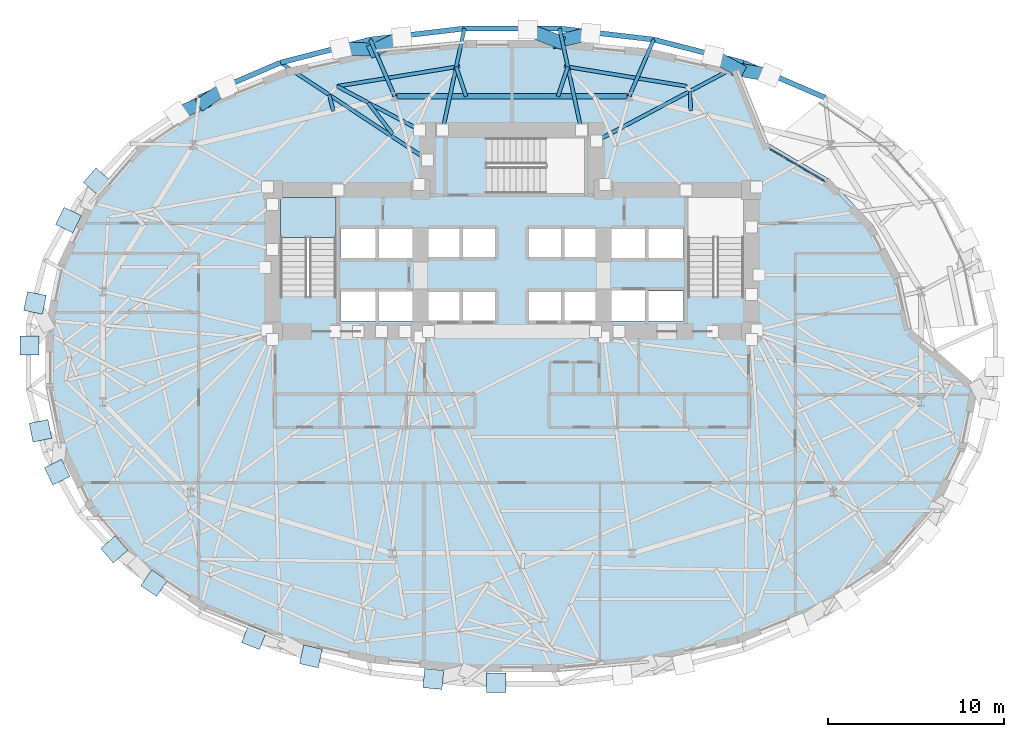
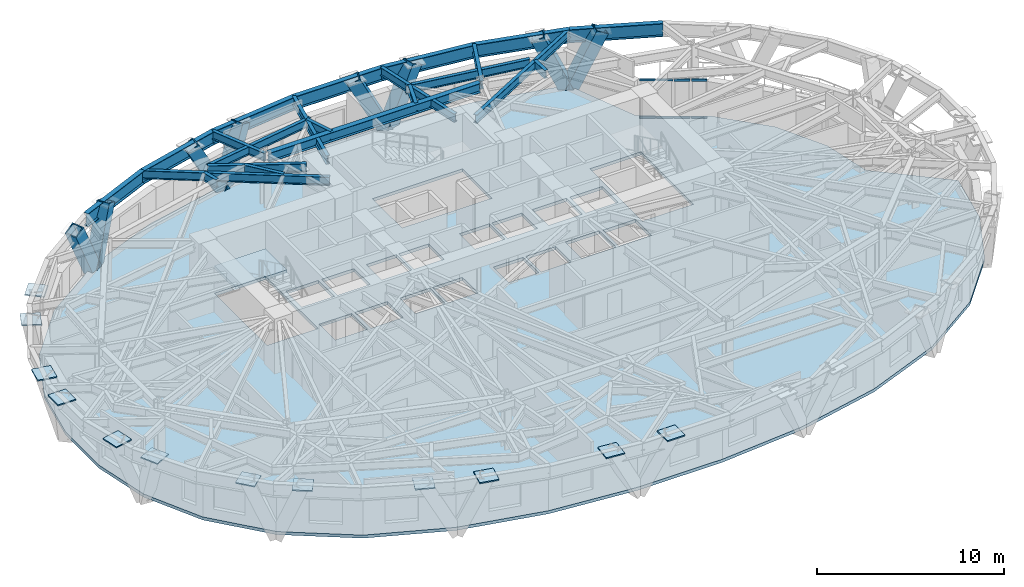
# One storey, part 5 of 15: 22 beams, 16 members, 12 plates, 2 slabs, 2 elements without a shape of their own.
"""IFC4 building model written with IfcOpenShell, lengths in metres."""

from ifc_helpers import new_model, si_unit, direction, frame, origin, origin_2d, place, context, subcontext, project, spatial, polyline, rectangle, hollow_rectangle, i_section, outline, extrude, material, layer, layer_set, material_profile, profile_set, type_object, element, aggregate, save


model = new_model("IFC4")

# Units and contexts
model_context = context("Model", 3, precision=1e-05, world=origin(), true_north=direction((0.0, 1.0)))
body_context = subcontext(model_context, "Body", "Model", "MODEL_VIEW")
ifc_project = project(units=[si_unit("LENGTHUNIT", "METRE"), si_unit("AREAUNIT", "SQUARE_METRE"), si_unit("VOLUMEUNIT", "CUBIC_METRE"), si_unit("PLANEANGLEUNIT", "RADIAN"), si_unit("MASSUNIT", "GRAM", prefix="KILO")], contexts=[model_context])

# Site, building, storey
site_placement = place(None, origin())
site = spatial("IfcSite", under=ifc_project, at=site_placement, CompositionType="ELEMENT")
building_placement = place(site_placement, origin())
building = spatial("IfcBuilding", under=site, at=building_placement, Name="Keldmark Tower", CompositionType="ELEMENT")
storey_placement = place(building_placement, frame((0.0, 0.0, 37.800048828125)))
storey = spatial("IfcBuildingStorey", under=building, at=storey_placement, Name="L09", CompositionType="ELEMENT", Elevation=37.800048828125)

# Curtain wall, members
ifc_material_1 = material(Name="Unitized Thermally Broken Aluminum and Triple Low-E Glazing", Category="aluminium")
ifc_layer_1 = layer(ifc_material_1, 0.219970703125)
ifc_layer_set_1 = layer_set([ifc_layer_1], Name="Unitized Thermally Broken Aluminum and Triple Low-E Glazing")
curtain_wall_type = type_object("IfcCurtainWallType", Name="Spiralling Sky-Garden Feature Curtain Wall System", PredefinedType="NOTDEFINED", material=ifc_layer_set_1)
curtain_wall_placement = place(storey_placement, origin())
curtain_wall = element("IfcCurtainWall", 1, at=curtain_wall_placement, inside=storey, type_object=curtain_wall_type, Name="L09 Spiralling Sky-Garden Feature Curtain Wall System CW-L09-04", PredefinedType="NOTDEFINED")
ifc_material_2 = material(Name="Extruded Aluminum Alloy 6063-T6", Category="aluminium")
ifc_material_profile_1 = material_profile(ifc_material_2, rectangle(XDim=0.06005859375, YDim=0.139892578125, at=origin_2d()), Name="CWT60X140")
ifc_profile_set_1 = profile_set([ifc_material_profile_1], Name="Extruded Aluminum Alloy 6063-T6")
member_type_1 = type_object("IfcMemberType", Name="Curtain Wall Horizontal Transom 60x140", PredefinedType="USERDEFINED", material=ifc_profile_set_1)
member_1_placement = place(storey_placement, frame((14.668701171875, 11.765625, 0.030029296875), z_axis=(0.862136376403, -0.506676295561, 0.0), x_axis=(0.506676295561, 0.862136376403, 0.0)))
member_1 = element("IfcMember", 2, at=member_1_placement, type_object=member_type_1, Name="CW transom 1.1", ObjectType="TRANSOM", PredefinedType="USERDEFINED", context=body_context, shape_type="SweptSolid", body=[
    extrude(rectangle(XDim=0.06005859375, YDim=0.139892578125, at=origin_2d()), origin(), (0.0, 0.0, 1.0), 0.837890625),
])
member_2_placement = place(storey_placement, frame((14.668701171875, 11.765625, 2.4990234375), z_axis=(0.862136376403, -0.506676295561, 0.0), x_axis=(0.506676295561, 0.862136376403, 0.0)))
member_2 = element("IfcMember", 3, at=member_2_placement, type_object=member_type_1, Name="CW transom 1.2", ObjectType="TRANSOM", PredefinedType="USERDEFINED", context=body_context, shape_type="SweptSolid", body=[
    extrude(rectangle(XDim=0.06005859375, YDim=0.139892578125, at=origin_2d()), origin(), (0.0, 0.0, 1.0), 0.837890625),
])
member_3_placement = place(storey_placement, frame((15.44287109375, 11.310546875, 0.030029296875), z_axis=(0.862049876456, -0.506823451019, 0.0), x_axis=(0.506823451019, 0.862049876456, 0.0)))
member_3 = element("IfcMember", 4, at=member_3_placement, type_object=member_type_1, Name="CW transom 2.1", ObjectType="TRANSOM", PredefinedType="USERDEFINED", context=body_context, shape_type="SweptSolid", body=[
    extrude(rectangle(XDim=0.06005859375, YDim=0.139892578125, at=origin_2d()), origin(), (0.0, 0.0, 1.0), 0.867919921875),
])
member_4_placement = place(storey_placement, frame((15.44287109375, 11.310546875, 2.4990234375), z_axis=(0.862049876456, -0.506823451019, 0.0), x_axis=(0.506823451019, 0.862049876456, 0.0)))
member_4 = element("IfcMember", 5, at=member_4_placement, type_object=member_type_1, Name="CW transom 2.2", ObjectType="TRANSOM", PredefinedType="USERDEFINED", context=body_context, shape_type="SweptSolid", body=[
    extrude(rectangle(XDim=0.06005859375, YDim=0.139892578125, at=origin_2d()), origin(), (0.0, 0.0, 1.0), 0.867919921875),
])
member_5_placement = place(storey_placement, frame((16.242919921875, 10.84033203125, 0.030029296875), z_axis=(0.862049876456, -0.506823451019, 0.0), x_axis=(0.506823451019, 0.862049876456, 0.0)))
member_5 = element("IfcMember", 6, at=member_5_placement, type_object=member_type_1, Name="CW transom 3.1", ObjectType="TRANSOM", PredefinedType="USERDEFINED", context=body_context, shape_type="SweptSolid", body=[
    extrude(rectangle(XDim=0.06005859375, YDim=0.139892578125, at=origin_2d()), origin(), (0.0, 0.0, 1.0), 0.867919921875),
])
member_6_placement = place(storey_placement, frame((16.242919921875, 10.84033203125, 2.4990234375), z_axis=(0.862049876456, -0.506823451019, 0.0), x_axis=(0.506823451019, 0.862049876456, 0.0)))
member_6 = element("IfcMember", 7, at=member_6_placement, type_object=member_type_1, Name="CW transom 3.2", ObjectType="TRANSOM", PredefinedType="USERDEFINED", context=body_context, shape_type="SweptSolid", body=[
    extrude(rectangle(XDim=0.06005859375, YDim=0.139892578125, at=origin_2d()), origin(), (0.0, 0.0, 1.0), 0.867919921875),
])
member_7_placement = place(storey_placement, frame((17.042724609375, 10.3701171875, 0.030029296875), z_axis=(0.862083917705, -0.506765546219, 0.0), x_axis=(0.506765546219, 0.862083917705, 0.0)))
member_7 = element("IfcMember", 8, at=member_7_placement, type_object=member_type_1, Name="CW transom 4.1", ObjectType="TRANSOM", PredefinedType="USERDEFINED", context=body_context, shape_type="SweptSolid", body=[
    extrude(rectangle(XDim=0.06005859375, YDim=0.139892578125, at=origin_2d()), origin(), (0.0, 0.0, 1.0), 0.83837890625),
])
member_8_placement = place(storey_placement, frame((17.042724609375, 10.3701171875, 2.4990234375), z_axis=(0.862083917705, -0.506765546219, 0.0), x_axis=(0.506765546219, 0.862083917705, 0.0)))
member_8 = element("IfcMember", 9, at=member_8_placement, type_object=member_type_1, Name="CW transom 4.2", ObjectType="TRANSOM", PredefinedType="USERDEFINED", context=body_context, shape_type="SweptSolid", body=[
    extrude(rectangle(XDim=0.06005859375, YDim=0.139892578125, at=origin_2d()), origin(), (0.0, 0.0, 1.0), 0.83837890625),
])
aggregate(curtain_wall, [member_1, member_2, member_3, member_4, member_5, member_6, member_7, member_8])

# Members
ifc_material_3 = material(Name="Steel ASTM A572 Grade 50", Category="steel")
ifc_material_profile_2 = material_profile(ifc_material_3, hollow_rectangle(XDim=0.75, YDim=0.75, WallThickness=0.06494140625, at=origin_2d()), Name="BOX750X750X65")
ifc_profile_set_2 = profile_set([ifc_material_profile_2], Name="Steel ASTM A572 Grade 50")
member_type_2 = type_object("IfcMemberType", Name="Diagrid Lower Brace BOX750X750X65", PredefinedType="BRACE", material=ifc_profile_set_2)
member_9_placement = place(storey_placement, frame((12.846923828125, 16.282470703125, -0.280029296875), z_axis=(0.452329745147, -0.079134860464, 0.888332975587), x_axis=(0.172332060409, 0.985038913422, 0.0)))
element("IfcMember", 10, at=member_9_placement, inside=storey, type_object=member_type_2, Name="L09 Perimeter Diagrid Brace 03A", PredefinedType="BRACE", context=body_context, shape_type="SweptSolid", body=[
    extrude(hollow_rectangle(XDim=0.75, YDim=0.75, WallThickness=0.06494140625, at=origin_2d()), origin(), (0.0, 0.0, 1.0), 4.007568359375),
])
member_10_placement = place(storey_placement, frame((12.856689453125, 16.27587890625, -0.280029296875), z_axis=(-0.365802884275, 0.199670524596, 0.909021414194), x_axis=(-0.479114117667, -0.877752620191, 0.0)))
element("IfcMember", 11, at=member_10_placement, inside=storey, type_object=member_type_2, Name="L09 Perimeter Diagrid Brace 03B", PredefinedType="BRACE", context=body_context, shape_type="SweptSolid", body=[
    extrude(hollow_rectangle(XDim=0.75, YDim=0.75, WallThickness=0.06494140625, at=origin_2d()), origin(), (0.0, 0.0, 1.0), 3.916259765625),
])
member_11_placement = place(storey_placement, frame((2.59228515625, 17.8896484375, -0.280029296875), z_axis=(0.463476695477, 0.112237431003, 0.87897219059), x_axis=(-0.235361246264, 0.971907960538, 0.0)))
element("IfcMember", 12, at=member_11_placement, inside=storey, type_object=member_type_2, Name="L09 Perimeter Diagrid Brace 04A", PredefinedType="BRACE", context=body_context, shape_type="SweptSolid", body=[
    extrude(hollow_rectangle(XDim=0.75, YDim=0.75, WallThickness=0.06494140625, at=origin_2d()), origin(), (0.0, 0.0, 1.0), 4.05029296875),
])
member_12_placement = place(storey_placement, frame((2.603759765625, 17.88720703125, -0.280029296875), z_axis=(-0.426567459627, 0.16590766976, 0.889109018907), x_axis=(-0.362484833205, -0.931989670381, 0.0)))
element("IfcMember", 13, at=member_12_placement, inside=storey, type_object=member_type_2, Name="L09 Perimeter Diagrid Brace 04B", PredefinedType="BRACE", context=body_context, shape_type="SweptSolid", body=[
    extrude(hollow_rectangle(XDim=0.75, YDim=0.75, WallThickness=0.06494140625, at=origin_2d()), origin(), (0.0, 0.0, 1.0), 4.004150390625),
])
member_13_placement = place(storey_placement, frame((-7.81298828125, 17.39990234375, -0.280029296875), z_axis=(0.392331845466, 0.185415412322, 0.900942200092), x_axis=(-0.427284399131, 0.904117272404, 0.0)))
element("IfcMember", 14, at=member_13_placement, inside=storey, type_object=member_type_2, Name="L09 Perimeter Diagrid Brace 05A", PredefinedType="BRACE", context=body_context, shape_type="SweptSolid", body=[
    extrude(hollow_rectangle(XDim=0.75, YDim=0.75, WallThickness=0.06494140625, at=origin_2d()), origin(), (0.0, 0.0, 1.0), 3.951416015625),
])
member_14_placement = place(storey_placement, frame((-7.801513671875, 17.402099609375, -0.280029296875), z_axis=(-0.476936958146, 0.021572132788, 0.878672738305), x_axis=(-0.04518437926, -0.998978664372, 0.0)))
element("IfcMember", 15, at=member_14_placement, inside=storey, type_object=member_type_2, Name="L09 Perimeter Diagrid Brace 05B", PredefinedType="BRACE", context=body_context, shape_type="SweptSolid", body=[
    extrude(hollow_rectangle(XDim=0.75, YDim=0.75, WallThickness=0.06494140625, at=origin_2d()), origin(), (0.0, 0.0, 1.0), 4.051513671875),
])
member_15_placement = place(storey_placement, frame((-17.510009765625, 14.4228515625, -0.280029296875), z_axis=(0.333373647713, 0.224551547226, 0.915662936702), x_axis=(-0.558659600206, 0.829397040686, 0.0)))
element("IfcMember", 16, at=member_15_placement, inside=storey, type_object=member_type_2, Name="L09 Perimeter Diagrid Brace 06A", PredefinedType="BRACE", context=body_context, shape_type="SweptSolid", body=[
    extrude(hollow_rectangle(XDim=0.75, YDim=0.75, WallThickness=0.06494140625, at=origin_2d()), origin(), (0.0, 0.0, 1.0), 3.887939453125),
])
member_16_placement = place(storey_placement, frame((-17.500244140625, 14.42919921875, -0.280029296875), z_axis=(-0.392011506588, -0.169590552122, 0.904193576251), x_axis=(0.397053283296, -0.917795560146, 0.0)))
element("IfcMember", 17, at=member_16_placement, inside=storey, type_object=member_type_2, Name="L09 Perimeter Diagrid Brace 06B", PredefinedType="BRACE", context=body_context, shape_type="SweptSolid", body=[
    extrude(hollow_rectangle(XDim=0.75, YDim=0.75, WallThickness=0.06494140625, at=origin_2d()), origin(), (0.0, 0.0, 1.0), 3.937255859375),
])

# Beams
ifc_material_4 = material(Name="Steel ASTM A992 Grade 50", Category="steel")
ifc_material_profile_3 = material_profile(ifc_material_4, i_section(OverallWidth=0.323974609375, OverallDepth=0.611083984375, WebThickness=0.0126953125, FlangeThickness=0.01904296875, at=origin_2d()), Name="W24X104")
ifc_profile_set_3 = profile_set([ifc_material_profile_3], Name="Steel ASTM A992 Grade 50")
beam_type_1 = type_object("IfcBeamType", Name="Primary Floor Girder W24X104", PredefinedType="BEAM", material=ifc_profile_set_3)
beam_1_placement = place(storey_placement, frame((6.525146484375, 14.760009765625, 3.094482421875), z_axis=(-1.0, 0.0, 0.0), x_axis=(0.0, -1.0, 0.0)))
element("IfcBeam", 18, at=beam_1_placement, inside=storey, type_object=beam_type_1, Name="L09 Floor Ring Girder FG-R03", PredefinedType="BEAM", context=body_context, shape_type="SweptSolid", body=[
    extrude(i_section(OverallWidth=0.323974609375, OverallDepth=0.611083984375, WebThickness=0.0126953125, FlangeThickness=0.01904296875, at=origin_2d()), origin(), (0.0, 0.0, 1.0), 13.05029296875),
])
ifc_material_5 = material(Name="Steel ASTM A992 Grade 50", Category="steel")
ifc_material_profile_4 = material_profile(ifc_material_5, i_section(OverallWidth=0.2099609375, OverallDepth=0.537109375, WebThickness=0.010986328125, FlangeThickness=0.017333984375, at=origin_2d()), Name="W21X68")
ifc_profile_set_4 = profile_set([ifc_material_profile_4], Name="Steel ASTM A992 Grade 50")
beam_type_2 = type_object("IfcBeamType", Name="Radial Tie Girder W21X68", PredefinedType="BEAM", material=ifc_profile_set_4)
beam_2_placement = place(storey_placement, frame((-6.775390625, 12.607421875, 3.13134765625), z_axis=(-0.614380011532, 0.789010266999, 0.0), x_axis=(-0.789010266999, -0.614380011532, 0.0)))
element("IfcBeam", 19, at=beam_2_placement, inside=storey, type_object=beam_type_2, Name="L09 Framing Pin Header PH-004", PredefinedType="BEAM", context=body_context, shape_type="SweptSolid", body=[
    extrude(i_section(OverallWidth=0.2099609375, OverallDepth=0.537109375, WebThickness=0.010986328125, FlangeThickness=0.017333984375, at=origin_2d()), origin(), (0.0, 0.0, 1.0), 2.26904296875),
])
beam_3_placement = place(storey_placement, frame((-5.25, 12.85009765625, 3.13134765625), z_axis=(-0.883523338204, 0.468387137792, 0.0), x_axis=(-0.468387137792, -0.883523338204, 0.0)))
element("IfcBeam", 20, at=beam_3_placement, inside=storey, type_object=beam_type_2, Name="L09 Sub-Ring Step Girder STP1-M05", PredefinedType="BEAM", context=body_context, shape_type="SweptSolid", body=[
    extrude(i_section(OverallWidth=0.2099609375, OverallDepth=0.537109375, WebThickness=0.010986328125, FlangeThickness=0.017333984375, at=origin_2d()), origin(), (0.0, 0.0, 1.0), 5.300048828125),
])
for number, where, z_axis, x_axis, name in (
    (21, (9.9326171875, 15.33251953125, 3.13134765625), (-0.987017599619, 0.160612135416, 0.0), (-0.160612135416, -0.987017599619, 0.0), "L09 Perimeter Collector Ring Beam CRG1-M02"),
    (22, (-2.965087890625, 16.46630859375, 3.13134765625), (-0.987017599619, -0.160612135416, 0.0), (0.160612135416, -0.987017599619, 0.0), "L09 Perimeter Collector Ring Beam CRG1-M04"),
):
    element("IfcBeam", number, at=place(storey_placement, frame(where, z_axis=z_axis, x_axis=x_axis)), inside=storey, type_object=beam_type_2, Name=name, PredefinedType="BEAM", context=body_context, shape_type="SweptSolid", body=[
        extrude(i_section(OverallWidth=0.2099609375, OverallDepth=0.537109375, WebThickness=0.010986328125, FlangeThickness=0.017333984375, at=origin_2d()), origin(), (0.0, 0.0, 1.0), 7.05908203125),
    ])
beam_4_placement = place(storey_placement, frame((10.1494140625, 13.921142578125, 3.13134765625), z_axis=(-0.027695557598, 0.999616404472, 0.0), x_axis=(-0.999616404472, -0.027695557598, 0.0)))
element("IfcBeam", 23, at=beam_4_placement, inside=storey, type_object=beam_type_2, Name="L09 Framing Pin Header PH-018", PredefinedType="BEAM", context=body_context, shape_type="SweptSolid", body=[
    extrude(i_section(OverallWidth=0.2099609375, OverallDepth=0.537109375, WebThickness=0.010986328125, FlangeThickness=0.017333984375, at=origin_2d()), origin(), (0.0, 0.0, 1.0), 1.13720703125),
])
beam_5_placement = place(storey_placement, frame((4.800048828125, 12.22509765625, 3.13134765625), z_axis=(0.882588469894, 0.470146352544, 0.0), x_axis=(-0.470146352544, 0.882588469894, 0.0)))
element("IfcBeam", 24, at=beam_5_placement, inside=storey, type_object=beam_type_2, Name="L09 Perimeter Radial Tie Girder RT-06", PredefinedType="BEAM", context=body_context, shape_type="SweptSolid", body=[
    extrude(i_section(OverallWidth=0.2099609375, OverallDepth=0.537109375, WebThickness=0.010986328125, FlangeThickness=0.017333984375, at=origin_2d()), origin(), (0.0, 0.0, 1.0), 9.464599609375),
])
beam_6_placement = place(storey_placement, frame((6.6650390625, 14.760009765625, 3.13134765625), z_axis=(0.3949102692, 0.918719695707, 0.0), x_axis=(-0.918719695707, 0.3949102692, 0.0)))
element("IfcBeam", 25, at=beam_6_placement, inside=storey, type_object=beam_type_2, Name="L09 Perimeter Column Bracket RT-07", PredefinedType="BEAM", context=body_context, shape_type="SweptSolid", body=[
    extrude(i_section(OverallWidth=0.2099609375, OverallDepth=0.537109375, WebThickness=0.010986328125, FlangeThickness=0.017333984375, at=origin_2d()), origin(), (0.0, 0.0, 1.0), 3.5078125),
])
beam_7_placement = place(storey_placement, frame((2.610107421875, 14.760009765625, 3.13134765625), z_axis=(0.3180123932, 0.948086556054, 0.0), x_axis=(-0.948086556054, 0.3180123932, 0.0)))
element("IfcBeam", 26, at=beam_7_placement, inside=storey, type_object=beam_type_2, Name="L09 Framing Pin Header PH-019", PredefinedType="BEAM", context=body_context, shape_type="SweptSolid", body=[
    extrude(i_section(OverallWidth=0.2099609375, OverallDepth=0.537109375, WebThickness=0.010986328125, FlangeThickness=0.017333984375, at=origin_2d()), origin(), (0.0, 0.0, 1.0), 1.76416015625),
])
beam_8_placement = place(storey_placement, frame((3.9375, 12.85009765625, 3.13134765625), z_axis=(-0.209192295386, 0.977874523419, 0.0), x_axis=(-0.977874523419, -0.209192295386, 0.0)))
element("IfcBeam", 27, at=beam_8_placement, inside=storey, type_object=beam_type_2, Name="L09 Perimeter Radial Tie Girder RT-08", PredefinedType="BEAM", context=body_context, shape_type="SweptSolid", body=[
    extrude(i_section(OverallWidth=0.2099609375, OverallDepth=0.537109375, WebThickness=0.010986328125, FlangeThickness=0.017333984375, at=origin_2d()), origin(), (0.0, 0.0, 1.0), 5.891357421875),
])
beam_9_placement = place(storey_placement, frame((-2.610107421875, 14.760009765625, 3.13134765625), z_axis=(-0.3180123932, 0.948086556054, 0.0), x_axis=(-0.948086556054, -0.3180123932, 0.0)))
element("IfcBeam", 28, at=beam_9_placement, inside=storey, type_object=beam_type_2, Name="L09 Framing Pin Header PH-020", PredefinedType="BEAM", context=body_context, shape_type="SweptSolid", body=[
    extrude(i_section(OverallWidth=0.2099609375, OverallDepth=0.537109375, WebThickness=0.010986328125, FlangeThickness=0.017333984375, at=origin_2d()), origin(), (0.0, 0.0, 1.0), 1.76416015625),
])
beam_10_placement = place(storey_placement, frame((-3.9375, 12.85009765625, 3.13134765625), z_axis=(0.209192295386, 0.977874523419, 0.0), x_axis=(-0.977874523419, 0.209192295386, 0.0)))
element("IfcBeam", 29, at=beam_10_placement, inside=storey, type_object=beam_type_2, Name="L09 Perimeter Radial Tie Girder RT-09", PredefinedType="BEAM", context=body_context, shape_type="SweptSolid", body=[
    extrude(i_section(OverallWidth=0.2099609375, OverallDepth=0.537109375, WebThickness=0.010986328125, FlangeThickness=0.017333984375, at=origin_2d()), origin(), (0.0, 0.0, 1.0), 5.891357421875),
])
beam_11_placement = place(storey_placement, frame((-6.6650390625, 14.760009765625, 3.13134765625), z_axis=(-0.3949102692, 0.918719695707, 0.0), x_axis=(-0.918719695707, -0.3949102692, 0.0)))
element("IfcBeam", 30, at=beam_11_placement, inside=storey, type_object=beam_type_2, Name="L09 Perimeter Column Bracket RT-10", PredefinedType="BEAM", context=body_context, shape_type="SweptSolid", body=[
    extrude(i_section(OverallWidth=0.2099609375, OverallDepth=0.537109375, WebThickness=0.010986328125, FlangeThickness=0.017333984375, at=origin_2d()), origin(), (0.0, 0.0, 1.0), 3.5078125),
])
beam_12_placement = place(storey_placement, frame((-10.1494140625, 13.921142578125, 3.13134765625), z_axis=(-0.246337501647, 0.969184108043, 0.0), x_axis=(-0.969184108043, -0.246337501647, 0.0)))
element("IfcBeam", 31, at=beam_12_placement, inside=storey, type_object=beam_type_2, Name="L09 Framing Pin Header PH-021", PredefinedType="BEAM", context=body_context, shape_type="SweptSolid", body=[
    extrude(i_section(OverallWidth=0.2099609375, OverallDepth=0.537109375, WebThickness=0.010986328125, FlangeThickness=0.017333984375, at=origin_2d()), origin(), (0.0, 0.0, 1.0), 0.951416015625),
])
beam_13_placement = place(storey_placement, frame((-4.800048828125, 11.14990234375, 3.13134765625), z_axis=(-0.834069941472, 0.551658710376, 0.0), x_axis=(-0.551658710376, -0.834069941472, 0.0)))
element("IfcBeam", 32, at=beam_13_placement, inside=storey, type_object=beam_type_2, Name="L09 Perimeter Radial Tie Girder RT-11", PredefinedType="BEAM", context=body_context, shape_type="SweptSolid", body=[
    extrude(i_section(OverallWidth=0.2099609375, OverallDepth=0.537109375, WebThickness=0.010986328125, FlangeThickness=0.017333984375, at=origin_2d()), origin(), (0.0, 0.0, 1.0), 10.01513671875),
])
ifc_material_6 = material(Name="Steel ASTM A992 Grade 50", Category="steel")
ifc_material_profile_5 = material_profile(ifc_material_6, i_section(OverallWidth=0.2919921875, OverallDepth=0.85888671875, WebThickness=0.01708984375, FlangeThickness=0.031005859375, at=origin_2d()), Name="W33X169")
ifc_profile_set_5 = profile_set([ifc_material_profile_5], Name="Steel ASTM A992 Grade 50")
beam_type_3 = type_object("IfcBeamType", Name="Spandrel Ring Beam W33X169", PredefinedType="SPANDREL", material=ifc_profile_set_5)
beam_14_placement = place(storey_placement, frame((17.786376953125, 14.685791015625, 2.970458984375), z_axis=(-0.91889940345, 0.394491934442, 0.0), x_axis=(-0.394491934442, -0.91889940345, 0.0)))
element("IfcBeam", 33, at=beam_14_placement, inside=storey, type_object=beam_type_3, Name="L09 Perimeter Spandrel Ring Beam SRB-05", PredefinedType="SPANDREL", context=body_context, shape_type="SweptSolid", body=[
    extrude(i_section(OverallWidth=0.2919921875, OverallDepth=0.85888671875, WebThickness=0.01708984375, FlangeThickness=0.031005859375, at=origin_2d()), origin(), (0.0, 0.0, 1.0), 5.0419921875),
])
beam_15_placement = place(storey_placement, frame((13.1533203125, 16.6748046875, 2.970458984375), z_axis=(-0.968691592339, 0.248267192621, 0.0), x_axis=(-0.248267192621, -0.968691592339, 0.0)))
element("IfcBeam", 34, at=beam_15_placement, inside=storey, type_object=beam_type_3, Name="L09 Perimeter Spandrel Ring Beam SRB-06", PredefinedType="SPANDREL", context=body_context, shape_type="SweptSolid", body=[
    extrude(i_section(OverallWidth=0.2919921875, OverallDepth=0.85888671875, WebThickness=0.01708984375, FlangeThickness=0.031005859375, at=origin_2d()), origin(), (0.0, 0.0, 1.0), 5.26806640625),
])
beam_16_placement = place(storey_placement, frame((8.05029296875, 17.982666015625, 2.970458984375), z_axis=(-0.993159890371, 0.116762289112, 0.0), x_axis=(-0.116762289112, -0.993159890371, 0.0)))
element("IfcBeam", 35, at=beam_16_placement, inside=storey, type_object=beam_type_3, Name="L09 Perimeter Spandrel Ring Beam SRB-07", PredefinedType="SPANDREL", context=body_context, shape_type="SweptSolid", body=[
    extrude(i_section(OverallWidth=0.2919921875, OverallDepth=0.85888671875, WebThickness=0.01708984375, FlangeThickness=0.031005859375, at=origin_2d()), origin(), (0.0, 0.0, 1.0), 5.382080078125),
])
beam_17_placement = place(storey_placement, frame((2.705078125, 18.611083984375, 2.970458984375), z_axis=(-1.0, 0.0, 0.0), x_axis=(0.0, -1.0, 0.0)))
element("IfcBeam", 36, at=beam_17_placement, inside=storey, type_object=beam_type_3, Name="L09 Perimeter Spandrel Ring Beam SRB-08", PredefinedType="SPANDREL", context=body_context, shape_type="SweptSolid", body=[
    extrude(i_section(OverallWidth=0.2919921875, OverallDepth=0.85888671875, WebThickness=0.01708984375, FlangeThickness=0.031005859375, at=origin_2d()), origin(), (0.0, 0.0, 1.0), 5.41015625),
])
beam_18_placement = place(storey_placement, frame((-2.705078125, 18.611083984375, 2.970458984375), z_axis=(-0.993159890371, -0.116762289112, 0.0), x_axis=(0.116762289112, -0.993159890371, 0.0)))
element("IfcBeam", 37, at=beam_18_placement, inside=storey, type_object=beam_type_3, Name="L09 Perimeter Spandrel Ring Beam SRB-09", PredefinedType="SPANDREL", context=body_context, shape_type="SweptSolid", body=[
    extrude(i_section(OverallWidth=0.2919921875, OverallDepth=0.85888671875, WebThickness=0.01708984375, FlangeThickness=0.031005859375, at=origin_2d()), origin(), (0.0, 0.0, 1.0), 5.382080078125),
])
beam_19_placement = place(storey_placement, frame((-8.05029296875, 17.982666015625, 2.970458984375), z_axis=(-0.968691592339, -0.248267192621, 0.0), x_axis=(0.248267192621, -0.968691592339, 0.0)))
element("IfcBeam", 38, at=beam_19_placement, inside=storey, type_object=beam_type_3, Name="L09 Perimeter Spandrel Ring Beam SRB-10", PredefinedType="SPANDREL", context=body_context, shape_type="SweptSolid", body=[
    extrude(i_section(OverallWidth=0.2919921875, OverallDepth=0.85888671875, WebThickness=0.01708984375, FlangeThickness=0.031005859375, at=origin_2d()), origin(), (0.0, 0.0, 1.0), 5.26806640625),
])
beam_20_placement = place(storey_placement, frame((-13.1533203125, 16.6748046875, 2.970458984375), z_axis=(-0.91889940345, -0.394491934442, 0.0), x_axis=(0.394491934442, -0.91889940345, 0.0)))
element("IfcBeam", 39, at=beam_20_placement, inside=storey, type_object=beam_type_3, Name="L09 Perimeter Spandrel Ring Beam SRB-11", PredefinedType="SPANDREL", context=body_context, shape_type="SweptSolid", body=[
    extrude(i_section(OverallWidth=0.2919921875, OverallDepth=0.85888671875, WebThickness=0.01708984375, FlangeThickness=0.031005859375, at=origin_2d()), origin(), (0.0, 0.0, 1.0), 5.0419921875),
])

# Plates
ifc_material_7 = material(Name="Steel ASTM A572 Grade 50", Category="steel")
ifc_layer_2 = layer(ifc_material_7, 0.074951171875)
ifc_layer_set_2 = layer_set([ifc_layer_2], Name="Steel ASTM A572 Grade 50")
plate_type = type_object("IfcPlateType", Name="Diagrid Node Assembly DN01 75 mm", PredefinedType="USERDEFINED", material=ifc_layer_set_2)
for number, where, z_axis, x_axis, name in (
    (40, (-23.58349609375, 9.92138671875, 3.24267578125), (0.0, 0.0, 1.0), (-0.655531982473, -0.755167411873, 0.0), "L09 Diagrid Node Assembly 13"),
    (41, (-25.19873046875, 7.73193359375, 3.24267578125), (0.0, 0.0, 1.0), (-0.437429691673, -0.899252614588, 0.0), "L09 Diagrid Node Assembly 14"),
    (42, (-27.099365234375, 3.02294921875, 3.24267578125), (0.0, 0.0, 1.0), (-0.19988099444, -0.979820181493, 0.0), "L09 Diagrid Node Assembly 15"),
    (43, (-27.40625, 0.60498046875, 3.24267578125), (0.0, 0.0, 1.0), (0.0, -1.0, 0.0), "L09 Diagrid Node Assembly 16"),
    (44, (-26.787841796875, -4.24169921875, 3.24267578125), (0.0, 0.0, 1.0), (0.19988099444, -0.979820181493, 0.0), "L09 Diagrid Node Assembly 17"),
    (45, (-25.837646484375, -6.590087890625, 3.24267578125), (0.0, 0.0, 1.0), (0.437429691673, -0.899252614588, 0.0), "L09 Diagrid Node Assembly 18"),
    (46, (-22.598388671875, -10.9775390625, 3.24267578125), (0.0, 0.0, 1.0), (0.655531982473, -0.755167411873, 0.0), "L09 Diagrid Node Assembly 19"),
    (47, (-20.330810546875, -12.89208984375, 3.24267578125), (0.0, 0.0, 1.0), (0.827962472047, -0.560783509816, 0.0), "L09 Diagrid Node Assembly 20"),
    (48, (-14.65966796875, -15.96533203125, 3.24267578125), (0.0, 0.0, 1.0), (0.9290680244, -0.369908915867, 0.0), "L09 Diagrid Node Assembly 21"),
    (49, (-11.424072265625, -17.057861328125, 3.24267578125), (0.0, 0.0, 1.0), (0.975992848837, -0.217802568899, 0.0), "L09 Diagrid Node Assembly 22"),
    (50, (-4.469482421875, -18.34423828125, 3.24267578125), (0.0, 0.0, 1.0), (0.995643710507, -0.093239485886, 0.0), "L09 Diagrid Node Assembly 23"),
    (51, (-0.895751953125, -18.551513671875, 3.24267578125), (0.0, 0.0, 1.0), (1.0, 0.0, 0.0), "L09 Diagrid Node Assembly 24"),
):
    element("IfcPlate", number, at=place(storey_placement, frame(where, z_axis=z_axis, x_axis=x_axis)), inside=storey, type_object=plate_type, Name=name, ObjectType="GUSSET", PredefinedType="USERDEFINED", context=body_context, shape_type="SweptSolid", body=[
        extrude(rectangle(XDim=1.090087890625, YDim=1.090087890625, at=origin_2d()), origin(), (0.0, 0.0, 1.0), 0.074951171875),
    ])

# Slab
ifc_material_8 = material(Name="Concrete C35/45", Category="concrete")
ifc_layer_3 = layer(ifc_material_8, 0.199951171875)
ifc_layer_set_3 = layer_set([ifc_layer_3], Name="Concrete C35/45")
slab_type_1 = type_object("IfcSlabType", Name="Low-Rise Office Composite Slab 200 mm", PredefinedType="FLOOR", material=ifc_layer_set_3)
slab_1_placement = place(storey_placement, frame((0.0, 0.0, -0.199951171875)))
element("IfcSlab", 52, at=slab_1_placement, inside=storey, type_object=slab_type_1, Name="L09 Composite Structural Floor Slab", PredefinedType="FLOOR", context=body_context, shape_type="SweptSolid", body=[
    extrude(outline(polyline([(22.70361328125, 1.5146484375), (22.053466796875, 4.531494140625), (20.533203125, 7.434326171875), (18.04931640625, 10.03369140625), (14.607666015625, 12.056884765625), (12.885009765625, 16.328857421875), (7.819091796875, 17.459716796875), (2.609619140625, 17.947021484375), (-2.609619140625, 17.947021484375), (-7.819091796875, 17.459716796875), (-12.885009765625, 16.328857421875), (-17.538330078125, 14.4755859375), (-21.37060546875, 11.8798828125), (-24.106201171875, 8.727783203125), (-25.775634765625, 5.29638671875), (-26.495361328125, 1.767578125), (-26.495361328125, -1.767578125), (-25.775634765625, -5.29638671875), (-24.106201171875, -8.727783203125), (-21.37060546875, -11.8798828125), (-17.538330078125, -14.4755859375), (-12.885009765625, -16.328857421875), (-7.819091796875, -17.459716796875), (-2.609619140625, -17.947021484375), (2.609619140625, -17.947021484375), (7.819091796875, -17.459716796875), (12.885009765625, -16.328857421875), (17.538330078125, -14.4755859375), (21.37060546875, -11.8798828125), (24.106201171875, -8.727783203125), (25.775634765625, -5.29638671875), (26.495361328125, -1.767578125), (22.70361328125, 1.5146484375)]), holes=[polyline([(-10.0, 3.385009765625), (-10.0, 9.0), (-13.14990234375, 9.0), (-13.14990234375, 3.385009765625), (-10.0, 3.385009765625)]), polyline([(13.14990234375, 3.385009765625), (13.14990234375, 9.0), (10.0, 9.0), (10.0, 3.385009765625), (13.14990234375, 3.385009765625)]), polyline([(-1.43994140625, 9.25), (4.10498046875, 9.25), (4.10498046875, 12.39990234375), (-1.43994140625, 12.39990234375), (-1.43994140625, 9.25)]), polyline([(-9.75, 2.0), (-7.75, 2.0), (-7.75, 3.699951171875), (-9.75, 3.699951171875), (-9.75, 2.0)]), polyline([(7.75, 2.0), (9.75, 2.0), (9.75, 3.699951171875), (7.75, 3.699951171875), (7.75, 2.0)]), polyline([(5.449951171875, 2.0), (7.550048828125, 2.0), (7.550048828125, 3.75), (5.449951171875, 3.75), (5.449951171875, 2.0)]), polyline([(-4.800048828125, 2.0), (-2.949951171875, 2.0), (-2.949951171875, 3.64990234375), (-4.800048828125, 3.64990234375), (-4.800048828125, 2.0)]), polyline([(-2.800048828125, 2.0), (-0.949951171875, 2.0), (-0.949951171875, 3.64990234375), (-2.800048828125, 3.64990234375), (-2.800048828125, 2.0)]), polyline([(0.949951171875, 2.0), (2.800048828125, 2.0), (2.800048828125, 3.64990234375), (0.949951171875, 3.64990234375), (0.949951171875, 2.0)]), polyline([(2.949951171875, 2.0), (4.800048828125, 2.0), (4.800048828125, 3.64990234375), (2.949951171875, 3.64990234375), (2.949951171875, 2.0)]), polyline([(-4.800048828125, 5.60009765625), (-2.949951171875, 5.60009765625), (-2.949951171875, 7.25), (-4.800048828125, 7.25), (-4.800048828125, 5.60009765625)]), polyline([(-2.800048828125, 5.60009765625), (-0.949951171875, 5.60009765625), (-0.949951171875, 7.25), (-2.800048828125, 7.25), (-2.800048828125, 5.60009765625)]), polyline([(0.949951171875, 5.60009765625), (2.800048828125, 5.60009765625), (2.800048828125, 7.25), (0.949951171875, 7.25), (0.949951171875, 5.60009765625)]), polyline([(2.949951171875, 5.60009765625), (4.800048828125, 5.60009765625), (4.800048828125, 7.25), (2.949951171875, 7.25), (2.949951171875, 5.60009765625)]), polyline([(-9.75, 5.550048828125), (-7.75, 5.550048828125), (-7.75, 7.25), (-9.75, 7.25), (-9.75, 5.550048828125)]), polyline([(-7.550048828125, 5.550048828125), (-5.550048828125, 5.550048828125), (-5.550048828125, 7.25), (-7.550048828125, 7.25), (-7.550048828125, 5.550048828125)]), polyline([(-7.550048828125, 2.0), (-5.550048828125, 2.0), (-5.550048828125, 3.699951171875), (-7.550048828125, 3.699951171875), (-7.550048828125, 2.0)]), polyline([(5.449951171875, 5.550048828125), (7.550048828125, 5.550048828125), (7.550048828125, 7.25), (5.449951171875, 7.25), (5.449951171875, 5.550048828125)]), polyline([(7.75, 5.550048828125), (9.75, 5.550048828125), (9.75, 7.25), (7.75, 7.25), (7.75, 5.550048828125)])]), origin(), (0.0, 0.0, 1.0), 0.199951171875),
])

# Stair, slab
ifc_material_9 = material(Name="Concrete C40/50", Category="concrete")
stair_type = type_object("IfcStairType", Name="Precast Concrete Core Exit Stair", PredefinedType="HALF_TURN_STAIR", material=ifc_material_9)
stair_placement = place(storey_placement, origin())
stair = element("IfcStair", 53, at=stair_placement, inside=storey, type_object=stair_type, Name="L09 Exit Stair ST1", PredefinedType="HALF_TURN_STAIR")
ifc_material_10 = material(Name="Concrete C40/50", Category="concrete")
ifc_layer_4 = layer(ifc_material_10, 0.199951171875)
ifc_layer_set_4 = layer_set([ifc_layer_4], Name="Concrete C40/50")
slab_type_2 = type_object("IfcSlabType", Name="Reinforced Concrete Stair Landing 200 mm", PredefinedType="LANDING", material=ifc_layer_set_4)
slab_2_placement = place(storey_placement, frame((0.0, 0.0, 1.599853515625)))
slab_2 = element("IfcSlab", 54, at=slab_2_placement, type_object=slab_type_2, Name="ST1 landing 1", PredefinedType="LANDING", context=body_context, shape_type="SweptSolid", body=[
    extrude(outline(polyline([(-10.0, 6.72998046875), (-10.0, 9.0), (-13.14990234375, 9.0), (-13.14990234375, 6.72998046875), (-10.0, 6.72998046875)])), origin(), (0.0, 0.0, 1.0), 0.2001953125),
])
aggregate(stair, [slab_2])

save(model, "model.ifc")
